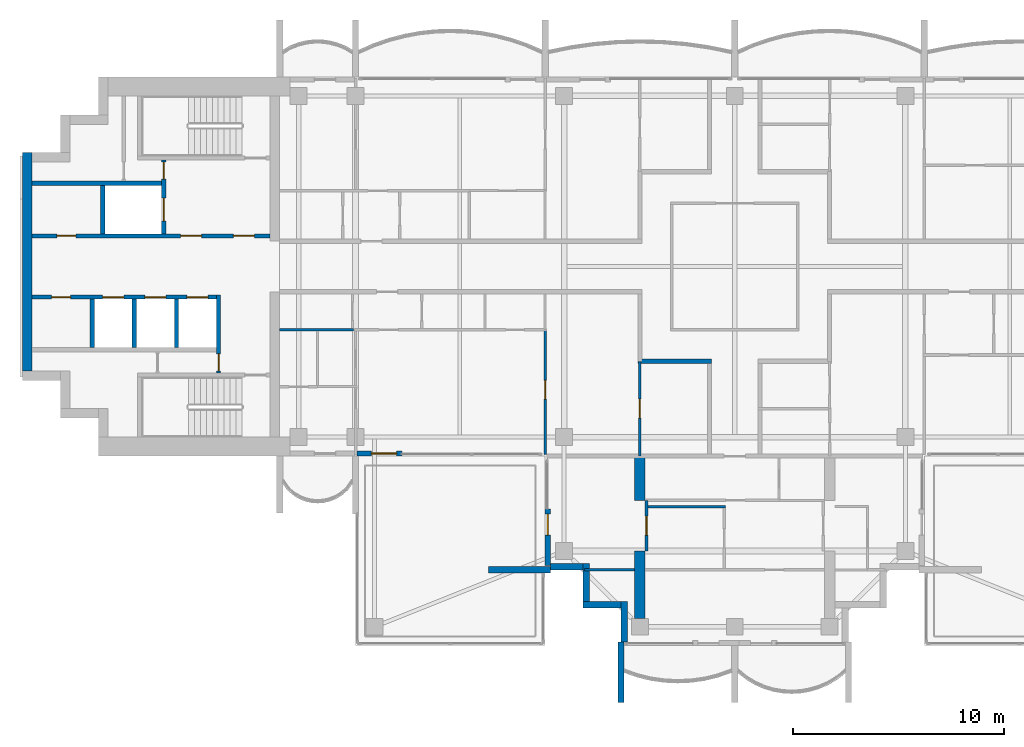
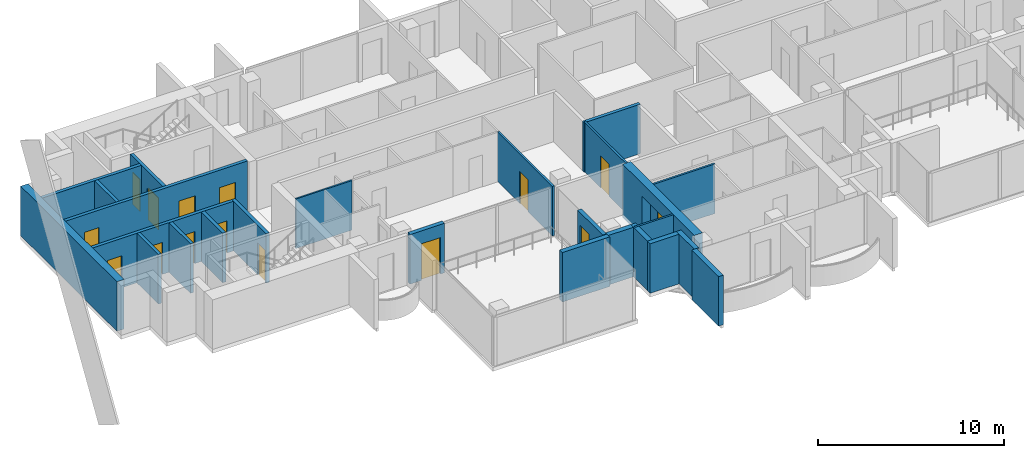
# One storey, part 7 of 16: 26 walls, 15 doors, 15 openings.
"""IFC4 building model written with IfcOpenShell, lengths in metres."""

from ifc_helpers import new_model, si_unit, direction, frame, frame_2d, origin, place, context, subcontext, project, spatial, polyline, rectangle, outline, extrude, material, layer, layer_set, material_profile, profile_set, type_object, element, fill, save


model = new_model("IFC4")

# Units and contexts
model_context = context("Model", 3, precision=1e-05, world=origin(), true_north=direction((0.0, 1.0)))
body_context = subcontext(model_context, "Body", "Model", "MODEL_VIEW")
ifc_project = project(units=[si_unit("LENGTHUNIT", "METRE"), si_unit("AREAUNIT", "SQUARE_METRE"), si_unit("VOLUMEUNIT", "CUBIC_METRE"), si_unit("PLANEANGLEUNIT", "RADIAN"), si_unit("MASSUNIT", "GRAM", prefix="KILO")], contexts=[model_context])

# Site, building, storey
site_placement = place(None, origin())
site = spatial("IfcSite", under=ifc_project, at=site_placement, CompositionType="ELEMENT")
building_placement = place(site_placement, origin())
building = spatial("IfcBuilding", under=site, at=building_placement, Name="Perihelion Cross Residences", CompositionType="ELEMENT")
storey_placement = place(building_placement, frame((0.0, 0.0, 264.0)))
storey = spatial("IfcBuildingStorey", under=building, at=storey_placement, Name="L67", CompositionType="ELEMENT", Elevation=264.0)

# Wall
ifc_material_1 = material(Name="Plasterboard partition")
ifc_layer_1 = layer(ifc_material_1, 0.199951171875)
ifc_layer_set_1 = layer_set([ifc_layer_1], Name="Apartment separation wall 200")
wall_type_1 = type_object("IfcWallType", Name="Apartment separation wall 200", PredefinedType="PARTITIONING", material=ifc_layer_set_1)
wall_1_placement = place(storey_placement, frame((-1.10009765625, -4.5, 0.0), z_axis=(0.0, 0.0, 1.0), x_axis=(-1.0, 0.0, 0.0)))
element("IfcWall", 1, at=wall_1_placement, inside=storey, type_object=wall_type_1, Name="Partition L67 W020", PredefinedType="PARTITIONING", context=body_context, shape_type="SweptSolid", body=[
    extrude(rectangle(XDim=3.5, YDim=0.199951171875, at=frame_2d((1.75, 0.0))), origin(), (0.0, 0.0, 1.0), 3.25),
])

# Wall, opening, door
ifc_material_2 = material(Name="Concrete C30/37, bronze-clad", Category="concrete")
ifc_layer_2 = layer(ifc_material_2, 0.25)
ifc_layer_set_2 = layer_set([ifc_layer_2], Name="Bronze-clad pier wall 250")
wall_type_2 = type_object("IfcWallType", Name="Bronze-clad pier wall 250", PredefinedType="SOLIDWALL", material=ifc_layer_set_2)
wall_2_placement = place(storey_placement, frame((-17.93994140625, -8.875, 0.0), z_axis=(0.0, 0.0, 1.0), x_axis=(1.0, 0.0, 0.0)))
wall_2 = element("IfcWall", 2, at=wall_2_placement, inside=storey, type_object=wall_type_2, Name="Wall FW1 L67 west side south bay 2 pier", PredefinedType="SOLIDWALL", context=body_context, shape_type="SweptSolid", body=[
    extrude(rectangle(XDim=2.139892578125, YDim=0.25, at=frame_2d((1.06982421875, 0.0))), origin(), (0.0, 0.0, 1.0), 3.25),
])
opening_1_placement = place(wall_2_placement, frame((0.68994140625, 0.0, 0.0)))
opening_1 = element("IfcOpeningElement", 3, at=opening_1_placement, cuts=wall_2, Name="Opening L67.E08", PredefinedType="OPENING", context=body_context, shape_type="SweptSolid", body=[
    extrude(rectangle(XDim=1.199951171875, YDim=2.39990234375, at=frame_2d((0.60009765625, 1.199951171875))), frame((0.0, 0.135009765625, 0.0), z_axis=(0.0, -1.0, 0.0), x_axis=(1.0, 0.0, 0.0)), (0.0, 0.0, 1.0), 0.27001953125),
])
ifc_material_3 = material(Name="Bronze anodised aluminium, glazed", Category="aluminium")
door_type_1 = type_object("IfcDoorType", Name="Balcony door 1200 x 2400", OperationType="NOTDEFINED", PredefinedType="DOOR", material=ifc_material_3)
door_1_placement = place(opening_1_placement, origin())
door_1 = element("IfcDoor", 4, at=door_1_placement, inside=storey, type_object=door_type_1, Name="Door L67.E08 west side south bay 2", OperationType="SINGLE_SWING_RIGHT", OverallHeight=2.39990234375, OverallWidth=1.199951171875, PredefinedType="DOOR", context=body_context, shape_type="SweptSolid", body=[
    extrude(rectangle(XDim=1.199951171875, YDim=2.39990234375, at=frame_2d((0.60009765625, 1.199951171875))), frame((0.0, 0.02490234375, 0.0), z_axis=(0.0, -1.0, 0.0), x_axis=(1.0, 0.0, 0.0)), (0.0, 0.0, 1.0), 0.050048828125),
])
fill(opening_1, door_1)

wall_3_placement = place(storey_placement, frame((-8.875, -11.5, 0.0), z_axis=(0.0, 0.0, 1.0), x_axis=(0.0, -1.0, 0.0)))
wall_3 = element("IfcWall", 5, at=wall_3_placement, inside=storey, type_object=wall_type_2, Name="Wall FW1 L67 south side west bay 1 pier", PredefinedType="SOLIDWALL", context=body_context, shape_type="SweptSolid", body=[
    extrude(rectangle(XDim=2.699951171875, YDim=0.25, at=frame_2d((1.35009765625, 0.0))), origin(), (0.0, 0.0, 1.0), 3.25),
])
opening_2_placement = place(wall_3_placement, frame((0.25, 0.0, 0.0)))
opening_2 = element("IfcOpeningElement", 6, at=opening_2_placement, cuts=wall_3, Name="Opening L67.E09", PredefinedType="OPENING", context=body_context, shape_type="SweptSolid", body=[
    extrude(rectangle(XDim=1.0, YDim=2.39990234375, at=frame_2d((0.5, 1.199951171875))), frame((0.0, 0.135009765625, 0.0), z_axis=(0.0, -1.0, 0.0), x_axis=(1.0, 0.0, 0.0)), (0.0, 0.0, 1.0), 0.27001953125),
])
ifc_material_4 = material(Name="Bronze anodised aluminium, glazed", Category="aluminium")
door_type_2 = type_object("IfcDoorType", Name="Balcony door 1000 x 2400", OperationType="NOTDEFINED", PredefinedType="DOOR", material=ifc_material_4)
door_2_placement = place(opening_2_placement, origin())
door_2 = element("IfcDoor", 7, at=door_2_placement, inside=storey, type_object=door_type_2, Name="Door L67.E09 south side west bay 1", OperationType="SINGLE_SWING_LEFT", OverallHeight=2.39990234375, OverallWidth=1.0, PredefinedType="DOOR", context=body_context, shape_type="SweptSolid", body=[
    extrude(rectangle(XDim=1.0, YDim=2.39990234375, at=frame_2d((0.5, 1.199951171875))), frame((0.0, 0.02490234375, 0.0), z_axis=(0.0, -1.0, 0.0), x_axis=(1.0, 0.0, 0.0)), (0.0, 0.0, 1.0), 0.050048828125),
])
fill(opening_2, door_2)

# Walls
ifc_material_5 = material(Name="Concrete C30/37, bronze-clad", Category="concrete")
ifc_layer_3 = layer(ifc_material_5, 0.300048828125)
ifc_layer_set_3 = layer_set([ifc_layer_3], Name="Bronze-clad serration wall 300")
wall_type_3 = type_object("IfcWallType", Name="Bronze-clad serration wall 300", PredefinedType="SOLIDWALL", material=ifc_layer_set_3)
wall_4_placement = place(storey_placement, frame((-8.75, -14.25, 0.0), z_axis=(0.0, 0.0, 1.0), x_axis=(1.0, 0.0, 0.0)))
element("IfcWall", 8, at=wall_4_placement, inside=storey, type_object=wall_type_3, Name="Wall SR1 L67 south corner south-west 1", PredefinedType="SOLIDWALL", context=body_context, shape_type="SweptSolid", body=[
    extrude(rectangle(XDim=1.550048828125, YDim=0.300048828125, at=frame_2d((0.77490234375, 0.0))), origin(), (0.0, 0.0, 1.0), 3.25),
])
wall_5_placement = place(storey_placement, frame((-7.050048828125, -14.10009765625, 0.0), z_axis=(0.0, 0.0, 1.0), x_axis=(0.0, -1.0, 0.0)))
element("IfcWall", 9, at=wall_5_placement, inside=storey, type_object=wall_type_3, Name="Wall SR1 L67 south corner south-west 2", PredefinedType="SOLIDWALL", context=body_context, shape_type="SweptSolid", body=[
    extrude(rectangle(XDim=1.7998046875, YDim=0.300048828125, at=frame_2d((0.89990234375, 0.0))), origin(), (0.0, 0.0, 1.0), 3.25),
])
wall_6_placement = place(storey_placement, frame((-7.199951171875, -16.050048828125, 0.0), z_axis=(0.0, 0.0, 1.0), x_axis=(1.0, 0.0, 0.0)))
element("IfcWall", 10, at=wall_6_placement, inside=storey, type_object=wall_type_3, Name="Wall SR1 L67 south corner south-west 3", PredefinedType="SOLIDWALL", context=body_context, shape_type="SweptSolid", body=[
    extrude(rectangle(XDim=1.800048828125, YDim=0.300048828125, at=frame_2d((0.89990234375, 0.0))), origin(), (0.0, 0.0, 1.0), 3.25),
])
wall_7_placement = place(storey_placement, frame((-5.25, -15.89990234375, 0.0), z_axis=(0.0, 0.0, 1.0), x_axis=(0.0, -1.0, 0.0)))
element("IfcWall", 11, at=wall_7_placement, inside=storey, type_object=wall_type_3, Name="Wall SR1 L67 south corner south-west 4", PredefinedType="SOLIDWALL", context=body_context, shape_type="SweptSolid", body=[
    extrude(rectangle(XDim=1.920166015625, YDim=0.300048828125, at=frame_2d((0.9599609375, 0.0))), origin(), (0.0, 0.0, 1.0), 3.25),
])
ifc_material_6 = material(Name="Concrete C60/75", Category="concrete")
ifc_layer_4 = layer(ifc_material_6, 0.449951171875)
ifc_layer_set_4 = layer_set([ifc_layer_4], Name="Core wall, outer 450")
wall_type_4 = type_object("IfcWallType", Name="Core wall, outer 450", PredefinedType="SHEAR", material=ifc_layer_set_4)
wall_8_placement = place(storey_placement, frame((-33.574951171875, -4.949951171875, 0.0), z_axis=(0.0, 0.0, 1.0), x_axis=(0.0, 1.0, 0.0)))
element("IfcWall", 12, at=wall_8_placement, inside=storey, type_object=wall_type_4, Name="West core core wall, outer", PredefinedType="SHEAR", context=body_context, shape_type="SweptSolid", body=[
    extrude(rectangle(XDim=10.349853515625, YDim=0.449951171875, at=frame_2d((5.1748046875, 0.0))), origin(), (0.0, 0.0, 1.0), 3.25),
])

# Wall, opening, door
ifc_material_7 = material(Name="Plasterboard partition")
ifc_layer_5 = layer(ifc_material_7, 0.1201171875)
ifc_layer_set_5 = layer_set([ifc_layer_5], Name="Infill panel 120")
wall_type_5 = type_object("IfcWallType", Name="Infill panel 120", PredefinedType="PARTITIONING", material=ifc_layer_set_5)
wall_9_placement = place(storey_placement, frame((-4.18994140625, -11.10009765625, 0.0), z_axis=(0.0, 0.0, 1.0), x_axis=(0.0, -1.0, 0.0)))
wall_9 = element("IfcWall", 13, at=wall_9_placement, inside=storey, type_object=wall_type_5, Name="Partition L67 WI02", PredefinedType="PARTITIONING", context=body_context, shape_type="SweptSolid", body=[
    extrude(rectangle(XDim=2.39990234375, YDim=0.1201171875, at=frame_2d((1.199951171875, 0.0))), origin(), (0.0, 0.0, 1.0), 2.39990234375),
])
opening_3_placement = place(wall_9_placement, frame((0.75, 0.0, 0.0)))
opening_3 = element("IfcOpeningElement", 14, at=opening_3_placement, cuts=wall_9, Name="Opening L67.A45", PredefinedType="OPENING", context=body_context, shape_type="SweptSolid", body=[
    extrude(rectangle(XDim=0.89990234375, YDim=2.10009765625, at=frame_2d((0.449951171875, 1.050048828125))), frame((0.0, 0.070068359375, 0.0), z_axis=(0.0, -1.0, 0.0), x_axis=(1.0, 0.0, 0.0)), (0.0, 0.0, 1.0), 0.14013671875),
])
ifc_material_8 = material(Name="Timber door leaf", Category="wood")
door_type_3 = type_object("IfcDoorType", Name="Interior room door 900 x 2100", OperationType="SINGLE_SWING_LEFT", PredefinedType="DOOR", material=ifc_material_8)
door_3_placement = place(opening_3_placement, origin())
door_3 = element("IfcDoor", 15, at=door_3_placement, inside=storey, type_object=door_type_3, Name="Door L67.A45", OperationType="SINGLE_SWING_LEFT", OverallHeight=2.10009765625, OverallWidth=0.89990234375, PredefinedType="DOOR", context=body_context, shape_type="SweptSolid", body=[
    extrude(rectangle(XDim=0.89990234375, YDim=2.10009765625, at=frame_2d((0.449951171875, 1.050048828125))), frame((0.0, 0.02490234375, 0.0), z_axis=(0.0, -1.0, 0.0), x_axis=(1.0, 0.0, 0.0)), (0.0, 0.0, 1.0), 0.050048828125),
])
fill(opening_3, door_3)

ifc_material_9 = material(Name="Concrete C50/60", Category="concrete")
ifc_layer_6 = layer(ifc_material_9, 0.199951171875)
ifc_layer_set_6 = layer_set([ifc_layer_6], Name="Lobby wall 200")
wall_type_6 = type_object("IfcWallType", Name="Lobby wall 200", PredefinedType="SOLIDWALL", material=ifc_layer_set_6)
wall_10_placement = place(storey_placement, frame((-24.5, -5.050048828125, 0.0), z_axis=(0.0, 0.0, 1.0), x_axis=(0.0, 1.0, 0.0)))
wall_10 = element("IfcWall", 16, at=wall_10_placement, inside=storey, type_object=wall_type_6, Name="West core lobby wall", PredefinedType="SOLIDWALL", context=body_context, shape_type="SweptSolid", body=[
    extrude(rectangle(XDim=3.699951171875, YDim=0.199951171875, at=frame_2d((1.85009765625, 0.0))), origin(), (0.0, 0.0, 1.0), 3.25),
])
opening_4_placement = place(wall_10_placement, frame((0.10009765625, 0.0, 0.0)))
opening_4 = element("IfcOpeningElement", 17, at=opening_4_placement, cuts=wall_10, Name="Opening L67.C22", PredefinedType="OPENING", context=body_context, shape_type="SweptSolid", body=[
    extrude(rectangle(XDim=0.800048828125, YDim=2.10009765625, at=frame_2d((0.39990234375, 1.050048828125))), frame((0.0, 0.10986328125, 0.0), z_axis=(0.0, -1.0, 0.0), x_axis=(1.0, 0.0, 0.0)), (0.0, 0.0, 1.0), 0.219970703125),
])
ifc_material_10 = material(Name="Steel, powder coated", Category="steel")
door_type_4 = type_object("IfcDoorType", Name="Riser door 800", OperationType="SINGLE_SWING_LEFT", PredefinedType="DOOR", material=ifc_material_10)
door_4_placement = place(opening_4_placement, origin())
door_4 = element("IfcDoor", 18, at=door_4_placement, inside=storey, type_object=door_type_4, Name="West core riser door", OperationType="SINGLE_SWING_LEFT", OverallHeight=2.10009765625, OverallWidth=0.800048828125, PredefinedType="DOOR", context=body_context, shape_type="SweptSolid", body=[
    extrude(rectangle(XDim=0.800048828125, YDim=2.10009765625, at=frame_2d((0.39990234375, 1.050048828125))), frame((0.0, 0.02490234375, 0.0), z_axis=(0.0, -1.0, 0.0), x_axis=(1.0, 0.0, 0.0)), (0.0, 0.0, 1.0), 0.050048828125),
])
fill(opening_4, door_4)

ifc_material_11 = material(Name="Plasterboard partition")
ifc_layer_7 = layer(ifc_material_11, 0.1201171875)
ifc_layer_set_7 = layer_set([ifc_layer_7], Name="Partition wall 120")
wall_type_7 = type_object("IfcWallType", Name="Partition wall 120", PredefinedType="PARTITIONING", material=ifc_layer_set_7)
wall_11_placement = place(storey_placement, frame((-9.0, -3.0, 0.0), z_axis=(0.0, 0.0, 1.0), x_axis=(0.0, -1.0, 0.0)))
wall_11 = element("IfcWall", 19, at=wall_11_placement, inside=storey, type_object=wall_type_7, Name="Partition L67 W062", PredefinedType="PARTITIONING", context=body_context, shape_type="SweptSolid", body=[
    extrude(rectangle(XDim=5.919921875, YDim=0.1201171875, at=frame_2d((2.9599609375, 0.0))), origin(), (0.0, 0.0, 1.0), 3.25),
])
opening_5_placement = place(wall_11_placement, frame((2.39990234375, 0.0, 0.0)))
opening_5 = element("IfcOpeningElement", 20, at=opening_5_placement, cuts=wall_11, Name="Opening L67.A32", PredefinedType="OPENING", context=body_context, shape_type="SweptSolid", body=[
    extrude(rectangle(XDim=0.89990234375, YDim=2.10009765625, at=frame_2d((0.449951171875, 1.050048828125))), frame((0.0, 0.070068359375, 0.0), z_axis=(0.0, -1.0, 0.0), x_axis=(1.0, 0.0, 0.0)), (0.0, 0.0, 1.0), 0.14013671875),
])
door_5_placement = place(opening_5_placement, origin())
door_5 = element("IfcDoor", 21, at=door_5_placement, inside=storey, type_object=door_type_3, Name="Door L67.A32", OperationType="SINGLE_SWING_RIGHT", OverallHeight=2.10009765625, OverallWidth=0.89990234375, PredefinedType="DOOR", context=body_context, shape_type="SweptSolid", body=[
    extrude(rectangle(XDim=0.89990234375, YDim=2.10009765625, at=frame_2d((0.449951171875, 1.050048828125))), frame((0.0, 0.02490234375, 0.0), z_axis=(0.0, -1.0, 0.0), x_axis=(1.0, 0.0, 0.0)), (0.0, 0.0, 1.0), 0.050048828125),
])
fill(opening_5, door_5)

wall_12_placement = place(storey_placement, frame((-4.5, -4.5, 0.0), z_axis=(0.0, 0.0, 1.0), x_axis=(0.0, -1.0, 0.0)))
wall_12 = element("IfcWall", 22, at=wall_12_placement, inside=storey, type_object=wall_type_7, Name="Partition L67 W066", PredefinedType="PARTITIONING", context=body_context, shape_type="SweptSolid", body=[
    extrude(rectangle(XDim=4.5, YDim=0.1201171875, at=frame_2d((2.25, 0.0))), origin(), (0.0, 0.0, 1.0), 3.25),
])
opening_6_placement = place(wall_12_placement, frame((1.800048828125, 0.0, 0.0)))
opening_6 = element("IfcOpeningElement", 23, at=opening_6_placement, cuts=wall_12, Name="Opening L67.A28", PredefinedType="OPENING", context=body_context, shape_type="SweptSolid", body=[
    extrude(rectangle(XDim=0.89990234375, YDim=2.10009765625, at=frame_2d((0.449951171875, 1.050048828125))), frame((0.0, 0.070068359375, 0.0), z_axis=(0.0, -1.0, 0.0), x_axis=(1.0, 0.0, 0.0)), (0.0, 0.0, 1.0), 0.14013671875),
])
door_6_placement = place(opening_6_placement, origin())
door_6 = element("IfcDoor", 24, at=door_6_placement, inside=storey, type_object=door_type_3, Name="Door L67.A28", OperationType="SINGLE_SWING_RIGHT", OverallHeight=2.10009765625, OverallWidth=0.89990234375, PredefinedType="DOOR", context=body_context, shape_type="SweptSolid", body=[
    extrude(rectangle(XDim=0.89990234375, YDim=2.10009765625, at=frame_2d((0.449951171875, 1.050048828125))), frame((0.0, 0.02490234375, 0.0), z_axis=(0.0, -1.0, 0.0), x_axis=(1.0, 0.0, 0.0)), (0.0, 0.0, 1.0), 0.050048828125),
])
fill(opening_6, door_6)

# Walls
wall_13_placement = place(storey_placement, frame((-0.43994140625, -11.39990234375, 0.0), z_axis=(0.0, 0.0, 1.0), x_axis=(-1.0, 0.0, 0.0)))
element("IfcWall", 25, at=wall_13_placement, inside=storey, type_object=wall_type_7, Name="Partition L67 W071", PredefinedType="PARTITIONING", context=body_context, shape_type="SweptSolid", body=[
    extrude(rectangle(XDim=3.81005859375, YDim=0.1201171875, at=frame_2d((1.905029296875, 0.0))), origin(), (0.0, 0.0, 1.0), 3.25),
])
wall_14_placement = place(storey_placement, frame((-4.75, -14.39990234375, 0.0), z_axis=(0.0, 0.0, 1.0), x_axis=(-1.0, 0.0, 0.0)))
element("IfcWall", 26, at=wall_14_placement, inside=storey, type_object=wall_type_7, Name="Partition L67 W077", PredefinedType="PARTITIONING", context=body_context, shape_type="SweptSolid", body=[
    extrude(rectangle(XDim=2.3701171875, YDim=0.1201171875, at=frame_2d((1.18505859375, 0.0))), origin(), (0.0, 0.0, 1.0), 3.25),
])
ifc_material_12 = material(Name="Precast concrete C50/60", Category="concrete")
ifc_layer_8 = layer(ifc_material_12, 0.300048828125)
ifc_layer_set_8 = layer_set([ifc_layer_8], Name="Precast concrete C50/60 blade wall 300")
wall_type_8 = type_object("IfcWallType", Name="Precast concrete C50/60 blade wall 300", PredefinedType="SOLIDWALL", material=ifc_layer_set_8)
wall_15_placement = place(storey_placement, frame((-8.75, -14.39990234375, 0.0), z_axis=(0.0, 0.0, 1.0), x_axis=(-1.0, 0.0, 0.0)))
element("IfcWall", 27, at=wall_15_placement, inside=storey, type_object=wall_type_8, Name="Wall BL1 L67 no. 6", PredefinedType="SOLIDWALL", context=body_context, shape_type="SweptSolid", body=[
    extrude(rectangle(XDim=2.949951171875, YDim=0.300048828125, at=frame_2d((1.47509765625, 0.0))), origin(), (0.0, 0.0, 1.0), 3.25),
])
wall_16_placement = place(storey_placement, frame((-5.39990234375, -17.820068359375, 0.0), z_axis=(0.0, 0.0, 1.0), x_axis=(0.0, -1.0, 0.0)))
element("IfcWall", 28, at=wall_16_placement, inside=storey, type_object=wall_type_8, Name="Wall BL1 L67 no. 5", PredefinedType="SOLIDWALL", context=body_context, shape_type="SweptSolid", body=[
    extrude(rectangle(XDim=2.8798828125, YDim=0.300048828125, at=frame_2d((1.43994140625, 0.0))), origin(), (0.0, 0.0, 1.0), 3.25),
])

# Wall, openings, doors
ifc_material_13 = material(Name="Concrete C50/60", Category="concrete")
ifc_layer_9 = layer(ifc_material_13, 0.199951171875)
ifc_layer_set_9 = layer_set([ifc_layer_9], Name="Shaft wall 200")
wall_type_9 = type_object("IfcWallType", Name="Shaft wall 200", PredefinedType="SOLIDWALL", material=ifc_layer_set_9)
wall_17_placement = place(storey_placement, frame((-33.35009765625, 1.449951171875, 0.0), z_axis=(0.0, 0.0, 1.0), x_axis=(1.0, 0.0, 0.0)))
wall_17 = element("IfcWall", 29, at=wall_17_placement, inside=storey, type_object=wall_type_9, Name="West core shaft wall", PredefinedType="SOLIDWALL", context=body_context, shape_type="SweptSolid", body=[
    extrude(rectangle(XDim=11.300048828125, YDim=0.199951171875, at=frame_2d((5.64990234375, 0.0))), origin(), (0.0, 0.0, 1.0), 3.25),
])
opening_7_placement = place(wall_17_placement, frame((9.550048828125, 0.0, 0.0)))
opening_7 = element("IfcOpeningElement", 30, at=opening_7_placement, cuts=wall_17, Name="Opening L67.C21", PredefinedType="OPENING", context=body_context, shape_type="SweptSolid", body=[
    extrude(rectangle(XDim=1.0, YDim=2.10009765625, at=frame_2d((0.5, 1.050048828125))), frame((0.0, 0.10986328125, 0.0), z_axis=(0.0, -1.0, 0.0), x_axis=(1.0, 0.0, 0.0)), (0.0, 0.0, 1.0), 0.219970703125),
])
opening_8_placement = place(wall_17_placement, frame((7.050048828125, 0.0, 0.0)))
opening_8 = element("IfcOpeningElement", 31, at=opening_8_placement, cuts=wall_17, Name="Opening L67.C23", PredefinedType="OPENING", context=body_context, shape_type="SweptSolid", body=[
    extrude(rectangle(XDim=1.0, YDim=2.10009765625, at=frame_2d((0.5, 1.050048828125))), frame((0.0, 0.10986328125, 0.0), z_axis=(0.0, -1.0, 0.0), x_axis=(1.0, 0.0, 0.0)), (0.0, 0.0, 1.0), 0.219970703125),
])
opening_9_placement = place(wall_17_placement, frame((1.175048828125, 0.0, 0.0)))
opening_9 = element("IfcOpeningElement", 32, at=opening_9_placement, cuts=wall_17, Name="Opening L67.C27", PredefinedType="OPENING", context=body_context, shape_type="SweptSolid", body=[
    extrude(rectangle(XDim=0.89990234375, YDim=2.10009765625, at=frame_2d((0.449951171875, 1.050048828125))), frame((0.0, 0.10986328125, 0.0), z_axis=(0.0, -1.0, 0.0), x_axis=(1.0, 0.0, 0.0)), (0.0, 0.0, 1.0), 0.219970703125),
])
ifc_material_14 = material(Name="Steel, powder coated", Category="steel")
door_type_5 = type_object("IfcDoorType", Name="Lobby door 1000", OperationType="SINGLE_SWING_LEFT", PredefinedType="DOOR", material=ifc_material_14)
door_7_placement = place(opening_7_placement, origin())
door_7 = element("IfcDoor", 33, at=door_7_placement, inside=storey, type_object=door_type_5, Name="West core firefighting lobby door", OperationType="SINGLE_SWING_LEFT", OverallHeight=2.10009765625, OverallWidth=1.0, PredefinedType="DOOR", context=body_context, shape_type="SweptSolid", body=[
    extrude(rectangle(XDim=1.0, YDim=2.10009765625, at=frame_2d((0.5, 1.050048828125))), frame((0.0, 0.02490234375, 0.0), z_axis=(0.0, -1.0, 0.0), x_axis=(1.0, 0.0, 0.0)), (0.0, 0.0, 1.0), 0.050048828125),
])
fill(opening_7, door_7)
door_8_placement = place(opening_8_placement, origin())
door_8 = element("IfcDoor", 34, at=door_8_placement, inside=storey, type_object=door_type_5, Name="West core firefighting lobby door", OperationType="SINGLE_SWING_LEFT", OverallHeight=2.10009765625, OverallWidth=1.0, PredefinedType="DOOR", context=body_context, shape_type="SweptSolid", body=[
    extrude(rectangle(XDim=1.0, YDim=2.10009765625, at=frame_2d((0.5, 1.050048828125))), frame((0.0, 0.02490234375, 0.0), z_axis=(0.0, -1.0, 0.0), x_axis=(1.0, 0.0, 0.0)), (0.0, 0.0, 1.0), 0.050048828125),
])
fill(opening_8, door_8)
ifc_material_15 = material(Name="Steel, powder coated", Category="steel")
door_type_6 = type_object("IfcDoorType", Name="Service room door 900", OperationType="SINGLE_SWING_LEFT", PredefinedType="DOOR", material=ifc_material_15)
door_9_placement = place(opening_9_placement, origin())
door_9 = element("IfcDoor", 35, at=door_9_placement, inside=storey, type_object=door_type_6, Name="West core service room door", OperationType="SINGLE_SWING_LEFT", OverallHeight=2.10009765625, OverallWidth=0.89990234375, PredefinedType="DOOR", context=body_context, shape_type="SweptSolid", body=[
    extrude(rectangle(XDim=0.89990234375, YDim=2.10009765625, at=frame_2d((0.449951171875, 1.050048828125))), frame((0.0, 0.02490234375, 0.0), z_axis=(0.0, -1.0, 0.0), x_axis=(1.0, 0.0, 0.0)), (0.0, 0.0, 1.0), 0.050048828125),
])
fill(opening_9, door_9)

wall_18_placement = place(storey_placement, frame((-33.35009765625, -1.449951171875, 0.0), z_axis=(0.0, 0.0, 1.0), x_axis=(1.0, 0.0, 0.0)))
wall_18 = element("IfcWall", 36, at=wall_18_placement, inside=storey, type_object=wall_type_9, Name="West core shaft wall", PredefinedType="SOLIDWALL", context=body_context, shape_type="SweptSolid", body=[
    extrude(rectangle(XDim=8.75, YDim=0.199951171875, at=frame_2d((4.375, 0.0))), origin(), (0.0, 0.0, 1.0), 3.25),
])
opening_10_placement = place(wall_18_placement, frame((7.35009765625, 0.0, 0.0)))
opening_10 = element("IfcOpeningElement", 37, at=opening_10_placement, cuts=wall_18, Name="Opening L67.C15", PredefinedType="OPENING", context=body_context, shape_type="SweptSolid", body=[
    extrude(rectangle(XDim=1.0, YDim=2.10009765625, at=frame_2d((0.5, 1.050048828125))), frame((0.0, 0.10986328125, 0.0), z_axis=(0.0, -1.0, 0.0), x_axis=(1.0, 0.0, 0.0)), (0.0, 0.0, 1.0), 0.219970703125),
])
opening_11_placement = place(wall_18_placement, frame((5.35009765625, 0.0, 0.0)))
opening_11 = element("IfcOpeningElement", 38, at=opening_11_placement, cuts=wall_18, Name="Opening L67.C17", PredefinedType="OPENING", context=body_context, shape_type="SweptSolid", body=[
    extrude(rectangle(XDim=1.0, YDim=2.10009765625, at=frame_2d((0.5, 1.050048828125))), frame((0.0, 0.10986328125, 0.0), z_axis=(0.0, -1.0, 0.0), x_axis=(1.0, 0.0, 0.0)), (0.0, 0.0, 1.0), 0.219970703125),
])
opening_12_placement = place(wall_18_placement, frame((3.35009765625, 0.0, 0.0)))
opening_12 = element("IfcOpeningElement", 39, at=opening_12_placement, cuts=wall_18, Name="Opening L67.C18", PredefinedType="OPENING", context=body_context, shape_type="SweptSolid", body=[
    extrude(rectangle(XDim=1.0, YDim=2.10009765625, at=frame_2d((0.5, 1.050048828125))), frame((0.0, 0.10986328125, 0.0), z_axis=(0.0, -1.0, 0.0), x_axis=(1.0, 0.0, 0.0)), (0.0, 0.0, 1.0), 0.219970703125),
])
opening_13_placement = place(wall_18_placement, frame((0.925048828125, 0.0, 0.0)))
opening_13 = element("IfcOpeningElement", 40, at=opening_13_placement, cuts=wall_18, Name="Opening L67.C28", PredefinedType="OPENING", context=body_context, shape_type="SweptSolid", body=[
    extrude(rectangle(XDim=0.89990234375, YDim=2.10009765625, at=frame_2d((0.449951171875, 1.050048828125))), frame((0.0, 0.10986328125, 0.0), z_axis=(0.0, -1.0, 0.0), x_axis=(1.0, 0.0, 0.0)), (0.0, 0.0, 1.0), 0.219970703125),
])
ifc_material_16 = material(Name="Stainless steel", Category="steel")
door_type_7 = type_object("IfcDoorType", Name="Landing door 1000", OperationType="DOUBLE_DOOR_SLIDING", PredefinedType="DOOR", material=ifc_material_16)
door_10_placement = place(opening_10_placement, origin())
door_10 = element("IfcDoor", 41, at=door_10_placement, inside=storey, type_object=door_type_7, Name="Landing door, West core high-rise lift 1", OperationType="DOUBLE_DOOR_SLIDING", OverallHeight=2.10009765625, OverallWidth=1.0, PredefinedType="DOOR", context=body_context, shape_type="SweptSolid", body=[
    extrude(rectangle(XDim=1.0, YDim=2.10009765625, at=frame_2d((0.5, 1.050048828125))), frame((0.0, 0.02490234375, 0.0), z_axis=(0.0, -1.0, 0.0), x_axis=(1.0, 0.0, 0.0)), (0.0, 0.0, 1.0), 0.050048828125),
])
fill(opening_10, door_10)
door_11_placement = place(opening_11_placement, origin())
door_11 = element("IfcDoor", 42, at=door_11_placement, inside=storey, type_object=door_type_7, Name="Landing door, West core high-rise lift 2", OperationType="DOUBLE_DOOR_SLIDING", OverallHeight=2.10009765625, OverallWidth=1.0, PredefinedType="DOOR", context=body_context, shape_type="SweptSolid", body=[
    extrude(rectangle(XDim=1.0, YDim=2.10009765625, at=frame_2d((0.5, 1.050048828125))), frame((0.0, 0.02490234375, 0.0), z_axis=(0.0, -1.0, 0.0), x_axis=(1.0, 0.0, 0.0)), (0.0, 0.0, 1.0), 0.050048828125),
])
fill(opening_11, door_11)
door_12_placement = place(opening_12_placement, origin())
door_12 = element("IfcDoor", 43, at=door_12_placement, inside=storey, type_object=door_type_7, Name="Landing door, West core high-rise lift 3", OperationType="DOUBLE_DOOR_SLIDING", OverallHeight=2.10009765625, OverallWidth=1.0, PredefinedType="DOOR", context=body_context, shape_type="SweptSolid", body=[
    extrude(rectangle(XDim=1.0, YDim=2.10009765625, at=frame_2d((0.5, 1.050048828125))), frame((0.0, 0.02490234375, 0.0), z_axis=(0.0, -1.0, 0.0), x_axis=(1.0, 0.0, 0.0)), (0.0, 0.0, 1.0), 0.050048828125),
])
fill(opening_12, door_12)
door_13_placement = place(opening_13_placement, origin())
door_13 = element("IfcDoor", 44, at=door_13_placement, inside=storey, type_object=door_type_6, Name="West core service room door", OperationType="SINGLE_SWING_LEFT", OverallHeight=2.10009765625, OverallWidth=0.89990234375, PredefinedType="DOOR", context=body_context, shape_type="SweptSolid", body=[
    extrude(rectangle(XDim=0.89990234375, YDim=2.10009765625, at=frame_2d((0.449951171875, 1.050048828125))), frame((0.0, 0.02490234375, 0.0), z_axis=(0.0, -1.0, 0.0), x_axis=(1.0, 0.0, 0.0)), (0.0, 0.0, 1.0), 0.050048828125),
])
fill(opening_13, door_13)

# Wall
wall_19_placement = place(storey_placement, frame((-33.35009765625, 3.949951171875, 0.0), z_axis=(0.0, 0.0, 1.0), x_axis=(1.0, 0.0, 0.0)))
element("IfcWall", 45, at=wall_19_placement, inside=storey, type_object=wall_type_9, Name="West core shaft wall", PredefinedType="SOLIDWALL", context=body_context, shape_type="SweptSolid", body=[
    extrude(rectangle(XDim=6.150146484375, YDim=0.199951171875, at=frame_2d((3.0751953125, 0.0))), origin(), (0.0, 0.0, 1.0), 3.25),
])

# Wall, openings, doors
wall_20_placement = place(storey_placement, frame((-27.10009765625, 1.550048828125, 0.0), z_axis=(0.0, 0.0, 1.0), x_axis=(0.0, 1.0, 0.0)))
wall_20 = element("IfcWall", 46, at=wall_20_placement, inside=storey, type_object=wall_type_9, Name="West core shaft wall", PredefinedType="SOLIDWALL", context=body_context, shape_type="SweptSolid", body=[
    extrude(rectangle(XDim=3.5, YDim=0.199951171875, at=frame_2d((1.75, 0.0))), origin(), (0.0, 0.0, 1.0), 3.25),
])
opening_14_placement = place(wall_20_placement, frame((0.60009765625, 0.0, 0.0)))
opening_14 = element("IfcOpeningElement", 47, at=opening_14_placement, cuts=wall_20, Name="Opening L67.C16", PredefinedType="OPENING", context=body_context, shape_type="SweptSolid", body=[
    extrude(rectangle(XDim=1.10009765625, YDim=2.10009765625, at=frame_2d((0.550048828125, 1.050048828125))), frame((0.0, 0.10986328125, 0.0), z_axis=(0.0, -1.0, 0.0), x_axis=(1.0, 0.0, 0.0)), (0.0, 0.0, 1.0), 0.219970703125),
])
opening_15_placement = place(wall_20_placement, frame((2.60009765625, 0.0, 0.0)))
opening_15 = element("IfcOpeningElement", 48, at=opening_15_placement, cuts=wall_20, Name="Opening L67.C24", PredefinedType="OPENING", context=body_context, shape_type="SweptSolid", body=[
    extrude(rectangle(XDim=0.800048828125, YDim=2.10009765625, at=frame_2d((0.39990234375, 1.050048828125))), frame((0.0, 0.10986328125, 0.0), z_axis=(0.0, -1.0, 0.0), x_axis=(1.0, 0.0, 0.0)), (0.0, 0.0, 1.0), 0.219970703125),
])
ifc_material_17 = material(Name="Stainless steel", Category="steel")
door_type_8 = type_object("IfcDoorType", Name="Landing door, firefighting lift 1100", OperationType="DOUBLE_DOOR_SLIDING", PredefinedType="DOOR", material=ifc_material_17)
door_14_placement = place(opening_14_placement, origin())
door_14 = element("IfcDoor", 49, at=door_14_placement, inside=storey, type_object=door_type_8, Name="Landing door, West core firefighting and service lift", OperationType="DOUBLE_DOOR_SLIDING", OverallHeight=2.10009765625, OverallWidth=1.10009765625, PredefinedType="DOOR", context=body_context, shape_type="SweptSolid", body=[
    extrude(rectangle(XDim=1.10009765625, YDim=2.10009765625, at=frame_2d((0.550048828125, 1.050048828125))), frame((0.0, 0.02490234375, 0.0), z_axis=(0.0, -1.0, 0.0), x_axis=(1.0, 0.0, 0.0)), (0.0, 0.0, 1.0), 0.050048828125),
])
fill(opening_14, door_14)
door_15_placement = place(opening_15_placement, origin())
door_15 = element("IfcDoor", 50, at=door_15_placement, inside=storey, type_object=door_type_4, Name="West core riser door", OperationType="SINGLE_SWING_LEFT", OverallHeight=2.10009765625, OverallWidth=0.800048828125, PredefinedType="DOOR", context=body_context, shape_type="SweptSolid", body=[
    extrude(rectangle(XDim=0.800048828125, YDim=2.10009765625, at=frame_2d((0.39990234375, 1.050048828125))), frame((0.0, 0.02490234375, 0.0), z_axis=(0.0, -1.0, 0.0), x_axis=(1.0, 0.0, 0.0)), (0.0, 0.0, 1.0), 0.050048828125),
])
fill(opening_15, door_15)

# Walls
for number, where, z_axis, x_axis, name in (
    (51, (-30.0, 1.550048828125, 0.0), (0.0, 0.0, 1.0), (0.0, 1.0, 0.0), "West core shaft wall"),
    (52, (-26.5, -3.85009765625, 0.0), (0.0, 0.0, 1.0), (0.0, 1.0, 0.0), "West core shaft wall"),
    (53, (-28.5, -3.85009765625, 0.0), (0.0, 0.0, 1.0), (0.0, 1.0, 0.0), "West core shaft wall"),
    (54, (-30.5, -3.85009765625, 0.0), (0.0, 0.0, 1.0), (0.0, 1.0, 0.0), "West core shaft wall"),
):
    element("IfcWall", number, at=place(storey_placement, frame(where, z_axis=z_axis, x_axis=x_axis)), inside=storey, type_object=wall_type_9, Name=name, PredefinedType="SOLIDWALL", context=body_context, shape_type="SweptSolid", body=[
        extrude(rectangle(XDim=2.300048828125, YDim=0.199951171875, at=frame_2d((1.14990234375, 0.0))), origin(), (0.0, 0.0, 1.0), 3.25),
    ])
ifc_material_18 = material(Name="Concrete C50/60", Category="concrete")
ifc_material_profile = material_profile(ifc_material_18, outline(polyline([(0.0, 0.0), (3.199951171875, 0.0), (3.199951171875, 2.64990234375), (5.60009765625, 2.64990234375), (5.60009765625, 0.0), (7.699951171875, 0.0), (7.699951171875, 3.5), (0.0, 3.5), (0.0, 0.0)])), Name="Tip spine wall")
ifc_profile_set = profile_set([ifc_material_profile], Name="Concrete C50/60")
wall_type_10 = type_object("IfcWallType", Name="Tip spine wall 500 with 1 door openings 7700 long 3500 high concrete C50/60", PredefinedType="SHEAR", material=ifc_profile_set)
wall_21_placement = place(storey_placement, frame((-4.75, -16.699951171875, -0.25), z_axis=(1.0, 0.0, 0.0), x_axis=(0.0, 1.0, 0.0)))
element("IfcWall", 55, at=wall_21_placement, inside=storey, type_object=wall_type_10, Name="Shear wall SW45 L67 south west", PredefinedType="SHEAR", context=body_context, shape_type="SweptSolid", body=[
    extrude(outline(polyline([(0.0, 0.0), (3.199951171875, 0.0), (3.199951171875, 2.64990234375), (5.60009765625, 2.64990234375), (5.60009765625, 0.0), (7.699951171875, 0.0), (7.699951171875, 3.5), (0.0, 3.5), (0.0, 0.0)])), origin(), (0.0, 0.0, 1.0), 0.5),
])
ifc_material_19 = material(Name="Plasterboard partition")
ifc_layer_10 = layer(ifc_material_19, 0.10009765625)
ifc_layer_set_10 = layer_set([ifc_layer_10], Name="Wet room wall 100")
wall_type_11 = type_object("IfcWallType", Name="Wet room wall 100", PredefinedType="PARTITIONING", material=ifc_layer_set_10)
wall_22_placement = place(storey_placement, frame((-18.10009765625, -3.0, 0.0), z_axis=(0.0, 0.0, 1.0), x_axis=(-1.0, 0.0, 0.0)))
element("IfcWall", 56, at=wall_22_placement, inside=storey, type_object=wall_type_11, Name="Partition L67 W059", PredefinedType="PARTITIONING", context=body_context, shape_type="SweptSolid", body=[
    extrude(rectangle(XDim=3.5, YDim=0.10009765625, at=frame_2d((1.75, 0.0))), origin(), (0.0, 0.0, 1.0), 3.25),
])

save(model, "model.ifc")
